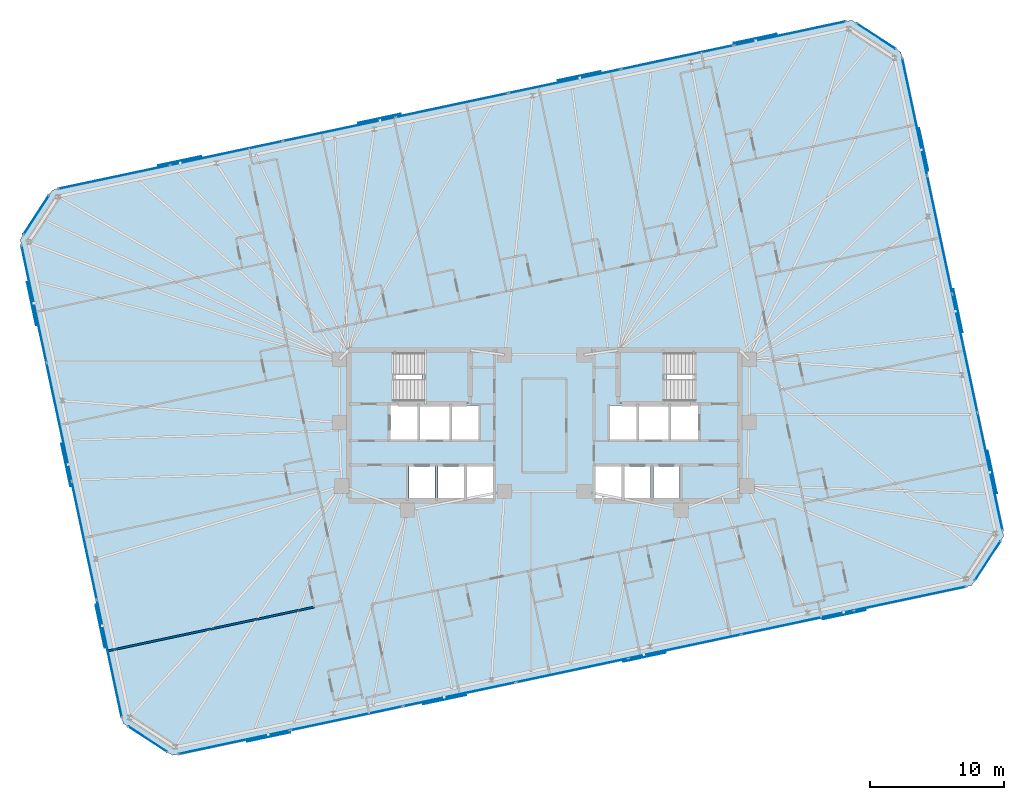
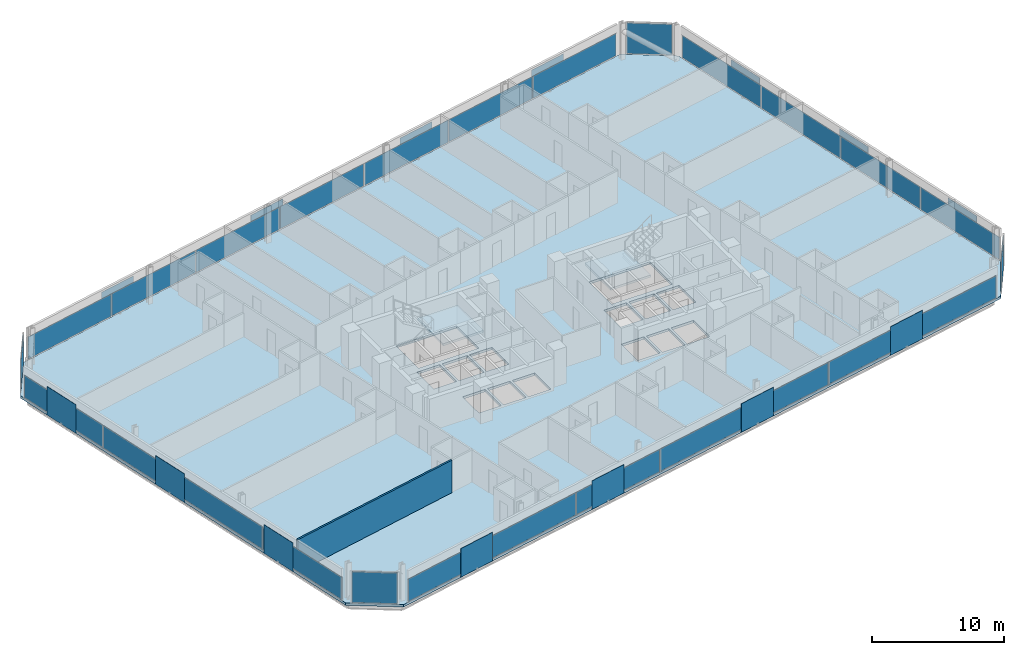
# One storey, part 13 of 20: 40 plates, 3 slabs, 1 wall, 10 elements without a shape of their own.
"""IFC4 building model written with IfcOpenShell, lengths in metres."""

from ifc_helpers import new_model, si_unit, direction, frame, frame_2d, origin, origin_2d, place, context, subcontext, project, spatial, polyline, rectangle, outline, extrude, material, layer, layer_set, type_object, element, aggregate, save


model = new_model("IFC4")

# Units and contexts
model_context = context("Model", 3, precision=1e-05, world=origin(), true_north=direction((0.0, 1.0)))
body_context = subcontext(model_context, "Body", "Model", "MODEL_VIEW")
ifc_project = project(units=[si_unit("LENGTHUNIT", "METRE"), si_unit("AREAUNIT", "SQUARE_METRE"), si_unit("VOLUMEUNIT", "CUBIC_METRE"), si_unit("PLANEANGLEUNIT", "RADIAN"), si_unit("MASSUNIT", "GRAM", prefix="KILO")], contexts=[model_context])

# Site, building, storey
site_placement = place(None, origin())
site = spatial("IfcSite", under=ifc_project, at=site_placement, CompositionType="ELEMENT")
building_placement = place(site_placement, origin())
building = spatial("IfcBuilding", under=site, at=building_placement, Name="Menara Jurai Vektor", CompositionType="ELEMENT")
storey_placement = place(building_placement, frame((0.0, 0.0, 199.0)))
storey = spatial("IfcBuildingStorey", under=building, at=storey_placement, Name="L52", CompositionType="ELEMENT", Elevation=199.0)

# Curtain wall, plates
ifc_material_1 = material(Name="Anodised Pale Aluminium & Low-E Double Glazing", Category="aluminium")
curtain_wall_type = type_object("IfcCurtainWallType", Name="CW-BLK3", PredefinedType="NOTDEFINED", material=ifc_material_1)
curtain_wall_1_placement = place(storey_placement, origin())
curtain_wall_1 = element("IfcCurtainWall", 1, at=curtain_wall_1_placement, inside=storey, type_object=curtain_wall_type, Name="Unitised Curtain Wall L52 F01", PredefinedType="NOTDEFINED")
ifc_material_2 = material(Name="Low-E Solar-Control Double Glazed Unit", Category="glass")
ifc_layer_1 = layer(ifc_material_2, 0.031982421875)
ifc_layer_set_1 = layer_set([ifc_layer_1], Name="Low-E Solar-Control Double Glazed Unit")
plate_type_1 = type_object("IfcPlateType", Name="CW-BLK3-PNL", PredefinedType="CURTAIN_PANEL", material=ifc_layer_set_1)
plate_1_placement = place(storey_placement, frame((-23.078369140625, -23.57568359375, 0.0849609375), z_axis=(0.0, 0.0, 1.0), x_axis=(0.978147674419, 0.207911344156, 0.0)))
plate_1 = element("IfcPlate", 2, at=plate_1_placement, type_object=plate_type_1, Name="CW-03 panel 1.1", PredefinedType="CURTAIN_PANEL", context=body_context, shape_type="SweptSolid", body=[
    extrude(rectangle(XDim=8.44970703125, YDim=0.031982421875, at=origin_2d()), origin(), (0.0, 0.0, 1.0), 2.054931640625),
])
plate_2_placement = place(storey_placement, frame((-14.709228515625, -21.796875, 0.0849609375), z_axis=(0.0, 0.0, 1.0), x_axis=(0.978147674419, 0.207911344156, 0.0)))
plate_2 = element("IfcPlate", 3, at=plate_2_placement, type_object=plate_type_1, Name="CW-03 panel 2.1", PredefinedType="CURTAIN_PANEL", context=body_context, shape_type="SweptSolid", body=[
    extrude(rectangle(XDim=8.4921875, YDim=0.031982421875, at=origin_2d()), origin(), (0.0, 0.0, 1.0), 2.054931640625),
])
plate_3_placement = place(storey_placement, frame((-6.319580078125, -20.013427734375, 0.0849609375), z_axis=(0.0, 0.0, 1.0), x_axis=(0.978147674419, 0.207911344156, 0.0)))
plate_3 = element("IfcPlate", 4, at=plate_3_placement, type_object=plate_type_1, Name="CW-03 panel 3.1", PredefinedType="CURTAIN_PANEL", context=body_context, shape_type="SweptSolid", body=[
    extrude(rectangle(XDim=8.4921875, YDim=0.031982421875, at=origin_2d()), origin(), (0.0, 0.0, 1.0), 2.054931640625),
])
plate_4_placement = place(storey_placement, frame((2.070068359375, -18.230224609375, 0.0849609375), z_axis=(0.0, 0.0, 1.0), x_axis=(0.978147674419, 0.207911344156, 0.0)))
plate_4 = element("IfcPlate", 5, at=plate_4_placement, type_object=plate_type_1, Name="CW-03 panel 4.1", PredefinedType="CURTAIN_PANEL", context=body_context, shape_type="SweptSolid", body=[
    extrude(rectangle(XDim=8.4921875, YDim=0.031982421875, at=origin_2d()), origin(), (0.0, 0.0, 1.0), 2.054931640625),
])
plate_5_placement = place(storey_placement, frame((10.459716796875, -16.447021484375, 0.0849609375), z_axis=(0.0, 0.0, 1.0), x_axis=(0.978147674419, 0.207911344156, 0.0)))
plate_5 = element("IfcPlate", 6, at=plate_5_placement, type_object=plate_type_1, Name="CW-03 panel 5.1", PredefinedType="CURTAIN_PANEL", context=body_context, shape_type="SweptSolid", body=[
    extrude(rectangle(XDim=8.4921875, YDim=0.031982421875, at=origin_2d()), origin(), (0.0, 0.0, 1.0), 2.054931640625),
])
plate_6_placement = place(storey_placement, frame((18.849609375, -14.66357421875, 0.0849609375), z_axis=(0.0, 0.0, 1.0), x_axis=(0.978147674419, 0.207911344156, 0.0)))
plate_6 = element("IfcPlate", 7, at=plate_6_placement, type_object=plate_type_1, Name="CW-03 panel 6.1", PredefinedType="CURTAIN_PANEL", context=body_context, shape_type="SweptSolid", body=[
    extrude(rectangle(XDim=8.4921875, YDim=0.031982421875, at=origin_2d()), origin(), (0.0, 0.0, 1.0), 2.054931640625),
])
plate_7_placement = place(storey_placement, frame((27.218505859375, -12.884765625, 0.0849609375), z_axis=(0.0, 0.0, 1.0), x_axis=(0.978147674419, 0.207911344156, 0.0)))
plate_7 = element("IfcPlate", 8, at=plate_7_placement, type_object=plate_type_1, Name="CW-03 panel 7.1", PredefinedType="CURTAIN_PANEL", context=body_context, shape_type="SweptSolid", body=[
    extrude(rectangle(XDim=8.44970703125, YDim=0.031982421875, at=origin_2d()), origin(), (0.0, 0.0, 1.0), 2.054931640625),
])
aggregate(curtain_wall_1, [plate_1, plate_2, plate_3, plate_4, plate_5, plate_6, plate_7])

curtain_wall_2_placement = place(storey_placement, origin())
curtain_wall_2 = element("IfcCurtainWall", 9, at=curtain_wall_2_placement, inside=storey, type_object=curtain_wall_type, Name="Unitised Curtain Wall L52 F03", PredefinedType="NOTDEFINED")
plate_8_placement = place(storey_placement, frame((33.17333984375, -3.433837890625, 0.0849609375), z_axis=(0.0, 0.0, 1.0), x_axis=(-0.20791035839, 0.978147883949, 0.0)))
plate_8 = element("IfcPlate", 10, at=plate_8_placement, type_object=plate_type_1, Name="CW-03 panel 1.1", PredefinedType="CURTAIN_PANEL", context=body_context, shape_type="SweptSolid", body=[
    extrude(rectangle(XDim=8.882568359375, YDim=0.031982421875, at=origin_2d()), origin(), (0.0, 0.0, 1.0), 2.054931640625),
])
plate_9_placement = place(storey_placement, frame((31.3046875, 5.3583984375, 0.0849609375), z_axis=(0.0, 0.0, 1.0), x_axis=(-0.20791035839, 0.978147883949, 0.0)))
plate_9 = element("IfcPlate", 11, at=plate_9_placement, type_object=plate_type_1, Name="CW-03 panel 2.1", PredefinedType="CURTAIN_PANEL", context=body_context, shape_type="SweptSolid", body=[
    extrude(rectangle(XDim=8.925048828125, YDim=0.031982421875, at=origin_2d()), origin(), (0.0, 0.0, 1.0), 2.054931640625),
])
plate_10_placement = place(storey_placement, frame((29.431396484375, 14.171630859375, 0.0849609375), z_axis=(0.0, 0.0, 1.0), x_axis=(-0.20791035839, 0.978147883949, 0.0)))
plate_10 = element("IfcPlate", 12, at=plate_10_placement, type_object=plate_type_1, Name="CW-03 panel 3.1", PredefinedType="CURTAIN_PANEL", context=body_context, shape_type="SweptSolid", body=[
    extrude(rectangle(XDim=8.925048828125, YDim=0.031982421875, at=origin_2d()), origin(), (0.0, 0.0, 1.0), 2.054931640625),
])
plate_11_placement = place(storey_placement, frame((27.5625, 22.9638671875, 0.0849609375), z_axis=(0.0, 0.0, 1.0), x_axis=(-0.20791035839, 0.978147883949, 0.0)))
plate_11 = element("IfcPlate", 13, at=plate_11_placement, type_object=plate_type_1, Name="CW-03 panel 4.1", PredefinedType="CURTAIN_PANEL", context=body_context, shape_type="SweptSolid", body=[
    extrude(rectangle(XDim=8.882568359375, YDim=0.031982421875, at=origin_2d()), origin(), (0.0, 0.0, 1.0), 2.054931640625),
])
aggregate(curtain_wall_2, [plate_8, plate_9, plate_10, plate_11])

curtain_wall_3_placement = place(storey_placement, origin())
curtain_wall_3 = element("IfcCurtainWall", 14, at=curtain_wall_3_placement, inside=storey, type_object=curtain_wall_type, Name="Unitised Curtain Wall L52 F05", PredefinedType="NOTDEFINED")
plate_12_placement = place(storey_placement, frame((18.2783203125, 29.175537109375, 0.0849609375), z_axis=(0.0, 0.0, 1.0), x_axis=(-0.978147674419, -0.207911344156, 0.0)))
plate_12 = element("IfcPlate", 15, at=plate_12_placement, type_object=plate_type_1, Name="CW-03 panel 1.1", PredefinedType="CURTAIN_PANEL", context=body_context, shape_type="SweptSolid", body=[
    extrude(rectangle(XDim=8.44970703125, YDim=0.031982421875, at=origin_2d()), origin(), (0.0, 0.0, 1.0), 2.054931640625),
])
plate_13_placement = place(storey_placement, frame((9.909423828125, 27.396728515625, 0.0849609375), z_axis=(0.0, 0.0, 1.0), x_axis=(-0.978147674419, -0.207911344156, 0.0)))
plate_13 = element("IfcPlate", 16, at=plate_13_placement, type_object=plate_type_1, Name="CW-03 panel 2.1", PredefinedType="CURTAIN_PANEL", context=body_context, shape_type="SweptSolid", body=[
    extrude(rectangle(XDim=8.4921875, YDim=0.031982421875, at=origin_2d()), origin(), (0.0, 0.0, 1.0), 2.054931640625),
])
plate_14_placement = place(storey_placement, frame((1.51953125, 25.613525390625, 0.0849609375), z_axis=(0.0, 0.0, 1.0), x_axis=(-0.978147674419, -0.207911344156, 0.0)))
plate_14 = element("IfcPlate", 17, at=plate_14_placement, type_object=plate_type_1, Name="CW-03 panel 3.1", PredefinedType="CURTAIN_PANEL", context=body_context, shape_type="SweptSolid", body=[
    extrude(rectangle(XDim=8.4921875, YDim=0.031982421875, at=origin_2d()), origin(), (0.0, 0.0, 1.0), 2.054931640625),
])
plate_15_placement = place(storey_placement, frame((-6.8701171875, 23.830078125, 0.0849609375), z_axis=(0.0, 0.0, 1.0), x_axis=(-0.978147674419, -0.207911344156, 0.0)))
plate_15 = element("IfcPlate", 18, at=plate_15_placement, type_object=plate_type_1, Name="CW-03 panel 4.1", PredefinedType="CURTAIN_PANEL", context=body_context, shape_type="SweptSolid", body=[
    extrude(rectangle(XDim=8.4921875, YDim=0.031982421875, at=origin_2d()), origin(), (0.0, 0.0, 1.0), 2.054931640625),
])
plate_16_placement = place(storey_placement, frame((-15.259765625, 22.046875, 0.0849609375), z_axis=(0.0, 0.0, 1.0), x_axis=(-0.978147674419, -0.207911344156, 0.0)))
plate_16 = element("IfcPlate", 19, at=plate_16_placement, type_object=plate_type_1, Name="CW-03 panel 5.1", PredefinedType="CURTAIN_PANEL", context=body_context, shape_type="SweptSolid", body=[
    extrude(rectangle(XDim=8.4921875, YDim=0.031982421875, at=origin_2d()), origin(), (0.0, 0.0, 1.0), 2.054931640625),
])
plate_17_placement = place(storey_placement, frame((-23.6494140625, 20.263671875, 0.0849609375), z_axis=(0.0, 0.0, 1.0), x_axis=(-0.978147674419, -0.207911344156, 0.0)))
plate_17 = element("IfcPlate", 20, at=plate_17_placement, type_object=plate_type_1, Name="CW-03 panel 6.1", PredefinedType="CURTAIN_PANEL", context=body_context, shape_type="SweptSolid", body=[
    extrude(rectangle(XDim=8.4921875, YDim=0.031982421875, at=origin_2d()), origin(), (0.0, 0.0, 1.0), 2.054931640625),
])
plate_18_placement = place(storey_placement, frame((-32.0185546875, 18.48486328125, 0.0849609375), z_axis=(0.0, 0.0, 1.0), x_axis=(-0.978147674419, -0.207911344156, 0.0)))
plate_18 = element("IfcPlate", 21, at=plate_18_placement, type_object=plate_type_1, Name="CW-03 panel 7.1", PredefinedType="CURTAIN_PANEL", context=body_context, shape_type="SweptSolid", body=[
    extrude(rectangle(XDim=8.44970703125, YDim=0.031982421875, at=origin_2d()), origin(), (0.0, 0.0, 1.0), 2.054931640625),
])
aggregate(curtain_wall_3, [plate_12, plate_13, plate_14, plate_15, plate_16, plate_17, plate_18])

curtain_wall_4_placement = place(storey_placement, origin())
curtain_wall_4 = element("IfcCurtainWall", 22, at=curtain_wall_4_placement, inside=storey, type_object=curtain_wall_type, Name="Unitised Curtain Wall L52 F07", PredefinedType="NOTDEFINED")
plate_19_placement = place(storey_placement, frame((-37.973388671875, 9.033935546875, 0.0849609375), z_axis=(0.0, 0.0, 1.0), x_axis=(0.20791035839, -0.978147883949, 0.0)))
plate_19 = element("IfcPlate", 23, at=plate_19_placement, type_object=plate_type_1, Name="CW-03 panel 1.1", PredefinedType="CURTAIN_PANEL", context=body_context, shape_type="SweptSolid", body=[
    extrude(rectangle(XDim=8.882568359375, YDim=0.031982421875, at=origin_2d()), origin(), (0.0, 0.0, 1.0), 2.054931640625),
])
plate_20_placement = place(storey_placement, frame((-36.1044921875, 0.241455078125, 0.0849609375), z_axis=(0.0, 0.0, 1.0), x_axis=(0.20791035839, -0.978147883949, 0.0)))
plate_20 = element("IfcPlate", 24, at=plate_20_placement, type_object=plate_type_1, Name="CW-03 panel 2.1", PredefinedType="CURTAIN_PANEL", context=body_context, shape_type="SweptSolid", body=[
    extrude(rectangle(XDim=8.925048828125, YDim=0.031982421875, at=origin_2d()), origin(), (0.0, 0.0, 1.0), 2.054931640625),
])
plate_21_placement = place(storey_placement, frame((-34.231201171875, -8.571533203125, 0.0849609375), z_axis=(0.0, 0.0, 1.0), x_axis=(0.20791035839, -0.978147883949, 0.0)))
plate_21 = element("IfcPlate", 25, at=plate_21_placement, type_object=plate_type_1, Name="CW-03 panel 3.1", PredefinedType="CURTAIN_PANEL", context=body_context, shape_type="SweptSolid", body=[
    extrude(rectangle(XDim=8.925048828125, YDim=0.031982421875, at=origin_2d()), origin(), (0.0, 0.0, 1.0), 2.054931640625),
])
plate_22_placement = place(storey_placement, frame((-32.362548828125, -17.364013671875, 0.0849609375), z_axis=(0.0, 0.0, 1.0), x_axis=(0.20791035839, -0.978147883949, 0.0)))
plate_22 = element("IfcPlate", 26, at=plate_22_placement, type_object=plate_type_1, Name="CW-03 panel 4.1", PredefinedType="CURTAIN_PANEL", context=body_context, shape_type="SweptSolid", body=[
    extrude(rectangle(XDim=8.882568359375, YDim=0.031982421875, at=origin_2d()), origin(), (0.0, 0.0, 1.0), 2.054931640625),
])
aggregate(curtain_wall_4, [plate_19, plate_20, plate_21, plate_22])

# Curtain wall, plate
curtain_wall_5_placement = place(storey_placement, origin())
curtain_wall_5 = element("IfcCurtainWall", 27, at=curtain_wall_5_placement, inside=storey, type_object=curtain_wall_type, Name="Unitised Curtain Wall L52 F02", PredefinedType="NOTDEFINED")
ifc_material_3 = material(Name="Insulated Pale Aluminium Spandrel Panel", Category="aluminium")
ifc_layer_2 = layer(ifc_material_3, 0.06005859375)
ifc_layer_set_2 = layer_set([ifc_layer_2], Name="Insulated Pale Aluminium Spandrel Panel")
plate_type_2 = type_object("IfcPlateType", Name="CW-PNL-SP", PredefinedType="CURTAIN_PANEL", material=ifc_layer_set_2)
plate_23_placement = place(storey_placement, frame((32.999755859375, -10.0712890625, 0.0849609375), z_axis=(0.0, 0.0, 1.0), x_axis=(0.544617794346, 0.838684361415, 0.0)))
plate_23 = element("IfcPlate", 28, at=plate_23_placement, type_object=plate_type_2, Name="CW-03 panel 1.1", PredefinedType="CURTAIN_PANEL", context=body_context, shape_type="SweptSolid", body=[
    extrude(rectangle(XDim=3.4541015625, YDim=0.06005859375, at=origin_2d()), origin(), (0.0, 0.0, 1.0), 2.824951171875),
])
aggregate(curtain_wall_5, [plate_23])

curtain_wall_6_placement = place(storey_placement, origin())
curtain_wall_6 = element("IfcCurtainWall", 29, at=curtain_wall_6_placement, inside=storey, type_object=curtain_wall_type, Name="Unitised Curtain Wall L52 F04", PredefinedType="NOTDEFINED")
plate_24_placement = place(storey_placement, frame((24.7041015625, 28.956787109375, 0.0849609375), z_axis=(0.0, 0.0, 1.0), x_axis=(-0.838684361415, 0.544617794346, 0.0)))
plate_24 = element("IfcPlate", 30, at=plate_24_placement, type_object=plate_type_2, Name="CW-03 panel 1.1", PredefinedType="CURTAIN_PANEL", context=body_context, shape_type="SweptSolid", body=[
    extrude(rectangle(XDim=3.4541015625, YDim=0.06005859375, at=origin_2d()), origin(), (0.0, 0.0, 1.0), 2.824951171875),
])
aggregate(curtain_wall_6, [plate_24])

curtain_wall_7_placement = place(storey_placement, origin())
curtain_wall_7 = element("IfcCurtainWall", 31, at=curtain_wall_7_placement, inside=storey, type_object=curtain_wall_type, Name="Unitised Curtain Wall L52 F06", PredefinedType="NOTDEFINED")
plate_25_placement = place(storey_placement, frame((-37.799560546875, 15.67138671875, 0.0849609375), z_axis=(0.0, 0.0, 1.0), x_axis=(-0.544617794346, -0.838684361415, 0.0)))
plate_25 = element("IfcPlate", 32, at=plate_25_placement, type_object=plate_type_2, Name="CW-03 panel 1.1", PredefinedType="CURTAIN_PANEL", context=body_context, shape_type="SweptSolid", body=[
    extrude(rectangle(XDim=3.4541015625, YDim=0.06005859375, at=origin_2d()), origin(), (0.0, 0.0, 1.0), 2.824951171875),
])
aggregate(curtain_wall_7, [plate_25])

curtain_wall_8_placement = place(storey_placement, origin())
curtain_wall_8 = element("IfcCurtainWall", 33, at=curtain_wall_8_placement, inside=storey, type_object=curtain_wall_type, Name="Unitised Curtain Wall L52 F08", PredefinedType="NOTDEFINED")
plate_26_placement = place(storey_placement, frame((-29.50390625, -23.35693359375, 0.0849609375), z_axis=(0.0, 0.0, 1.0), x_axis=(0.838684361415, -0.544617794346, 0.0)))
plate_26 = element("IfcPlate", 34, at=plate_26_placement, type_object=plate_type_2, Name="CW-03 panel 1.1", PredefinedType="CURTAIN_PANEL", context=body_context, shape_type="SweptSolid", body=[
    extrude(rectangle(XDim=3.4541015625, YDim=0.06005859375, at=origin_2d()), origin(), (0.0, 0.0, 1.0), 2.824951171875),
])
aggregate(curtain_wall_8, [plate_26])

# Plates
ifc_material_4 = material(Name="Anodised Pale Aluminium Perforated Screen", Category="aluminium")
ifc_layer_3 = layer(ifc_material_4, 0.02294921875)
ifc_layer_set_3 = layer_set([ifc_layer_3], Name="Anodised Pale Aluminium Perforated Screen")
plate_type_3 = type_object("IfcPlateType", Name="ENV-PLT-SCREEN-MID", PredefinedType="USERDEFINED", material=ifc_layer_set_3)
for number, where, z_axis, x_axis, name in (
    (35, (-20.495849609375, -23.190185546875, -0.050048828125), (0.0, 0.0, 1.0), (0.978147600734, 0.207911690818, 0.0), "Perforated Pale-Metal Solar Screen L52-S01"),
    (36, (-7.412109375, -20.4091796875, -0.050048828125), (0.0, 0.0, 1.0), (0.978147600734, 0.207911690818, 0.0), "Perforated Pale-Metal Solar Screen L52-S02"),
    (37, (7.455810546875, -17.2490234375, -0.050048828125), (0.0, 0.0, 1.0), (0.978147600734, 0.207911690818, 0.0), "Perforated Pale-Metal Solar Screen L52-S03"),
    (38, (22.323486328125, -14.0888671875, -0.050048828125), (0.0, 0.0, 1.0), (0.978147600734, 0.207911690818, 0.0), "Perforated Pale-Metal Solar Screen L52-S04"),
    (39, (33.342529296875, -3.460205078125, -0.050048828125), (0.0, 0.0, 1.0), (-0.207911690818, 0.978147600734, 0.0), "Perforated Pale-Metal Solar Screen L52-S05"),
    (40, (30.792236328125, 8.53857421875, -0.050048828125), (0.0, 0.0, 1.0), (-0.207911690818, 0.978147600734, 0.0), "Perforated Pale-Metal Solar Screen L52-S06"),
    (41, (28.241943359375, 20.537109375, -0.050048828125), (0.0, 0.0, 1.0), (-0.207911690818, 0.978147600734, 0.0), "Perforated Pale-Metal Solar Screen L52-S07"),
    (42, (15.69580078125, 28.790283203125, -0.050048828125), (0.0, 0.0, 1.0), (-0.978147600734, -0.207911690818, 0.0), "Perforated Pale-Metal Solar Screen L52-S08"),
    (43, (2.612060546875, 26.00927734375, -0.050048828125), (0.0, 0.0, 1.0), (-0.978147600734, -0.207911690818, 0.0), "Perforated Pale-Metal Solar Screen L52-S09"),
    (44, (-12.255859375, 22.84912109375, -0.050048828125), (0.0, 0.0, 1.0), (-0.978147600734, -0.207911690818, 0.0), "Perforated Pale-Metal Solar Screen L52-S10"),
    (45, (-27.12353515625, 19.688720703125, -0.050048828125), (0.0, 0.0, 1.0), (-0.978147600734, -0.207911690818, 0.0), "Perforated Pale-Metal Solar Screen L52-S11"),
    (46, (-38.142578125, 9.060302734375, -0.050048828125), (0.0, 0.0, 1.0), (0.207911690818, -0.978147600734, 0.0), "Perforated Pale-Metal Solar Screen L52-S12"),
    (47, (-35.59228515625, -2.9384765625, -0.050048828125), (0.0, 0.0, 1.0), (0.207911690818, -0.978147600734, 0.0), "Perforated Pale-Metal Solar Screen L52-S13"),
    (48, (-33.0419921875, -14.93701171875, -0.050048828125), (0.0, 0.0, 1.0), (0.207911690818, -0.978147600734, 0.0), "Perforated Pale-Metal Solar Screen L52-S14"),
):
    element("IfcPlate", number, at=place(storey_placement, frame(where, z_axis=z_axis, x_axis=x_axis)), inside=storey, type_object=plate_type_3, Name=name, ObjectType="SCREEN", PredefinedType="USERDEFINED", context=body_context, shape_type="SweptSolid", body=[
        extrude(rectangle(XDim=3.25, YDim=0.02294921875, at=origin_2d()), origin(), (0.0, 0.0, 1.0), 2.64990234375),
    ])

# Stair, slab
ifc_material_5 = material(Name="Concrete C40/50", Category="concrete")
stair_type = type_object("IfcStairType", Name="STAIR-DOGLEG-1500", PredefinedType="HALF_TURN_STAIR", material=ifc_material_5)
stair_1_placement = place(storey_placement, origin())
stair_1 = element("IfcStair", 49, at=stair_1_placement, inside=storey, type_object=stair_type, Name="Protected Exit Stair ST1 L52", PredefinedType="HALF_TURN_STAIR")
ifc_layer_4 = layer(ifc_material_5, 0.199951171875)
ifc_layer_set_4 = layer_set([ifc_layer_4], Name="Concrete C40/50")
slab_type_1 = type_object("IfcSlabType", Name="STAIR-LANDING-200", PredefinedType="LANDING", material=ifc_layer_set_4)
slab_1_placement = place(storey_placement, frame((0.0, 0.0, 1.5)))
slab_1 = element("IfcSlab", 50, at=slab_1_placement, type_object=slab_type_1, Name="ST1 landing 1", PredefinedType="LANDING", context=body_context, shape_type="SweptSolid", body=[
    extrude(outline(polyline([(-9.080078125, 1.64990234375), (-5.550048828125, 1.64990234375), (-5.550048828125, 5.550048828125), (-9.080078125, 5.550048828125), (-9.080078125, 1.64990234375)])), origin(), (0.0, 0.0, 1.0), 0.199951171875),
])
aggregate(stair_1, [slab_1])

stair_2_placement = place(storey_placement, origin())
stair_2 = element("IfcStair", 51, at=stair_2_placement, inside=storey, type_object=stair_type, Name="Protected Exit Stair ST2 L52", PredefinedType="HALF_TURN_STAIR")
slab_2_placement = place(storey_placement, frame((0.0, 0.0, 1.5)))
slab_2 = element("IfcSlab", 52, at=slab_2_placement, type_object=slab_type_1, Name="ST2 landing 1", PredefinedType="LANDING", context=body_context, shape_type="SweptSolid", body=[
    extrude(outline(polyline([(5.550048828125, 1.64990234375), (9.080078125, 1.64990234375), (9.080078125, 5.550048828125), (5.550048828125, 5.550048828125), (5.550048828125, 1.64990234375)])), origin(), (0.0, 0.0, 1.0), 0.199951171875),
])
aggregate(stair_2, [slab_2])

# Slab
ifc_layer_5 = layer(ifc_material_5, 0.22509765625)
ifc_layer_set_5 = layer_set([ifc_layer_5], Name="Concrete C40/50")
slab_type_2 = type_object("IfcSlabType", Name="STR-SLAB-TYP200", PredefinedType="FLOOR", material=ifc_layer_set_5)
slab_3_placement = place(storey_placement, frame((0.0, 0.0, -0.22509765625)))
element("IfcSlab", 53, at=slab_3_placement, inside=storey, type_object=slab_type_2, Name="Composite Floor Slab L52", PredefinedType="FLOOR", context=body_context, shape_type="SweptSolid", body=[
    extrude(outline(polyline([(-27.66552734375, -24.55078125), (31.805908203125, -11.90966796875), (34.193603515625, -8.23291015625), (26.54248046875, 27.762939453125), (22.865478515625, 30.150634765625), (-36.605712890625, 17.509765625), (-38.993408203125, 13.8330078125), (-31.34228515625, -22.1630859375), (-27.66552734375, -24.55078125)]), holes=[polyline([(-11.10009765625, 1.89990234375), (-11.10009765625, 5.300048828125), (-5.800048828125, 5.300048828125), (-5.800048828125, 1.89990234375), (-11.10009765625, 1.89990234375)]), polyline([(5.800048828125, 1.89990234375), (5.800048828125, 5.300048828125), (11.10009765625, 5.300048828125), (11.10009765625, 1.89990234375), (5.800048828125, 1.89990234375)]), polyline([(-11.449951171875, -1.050048828125), (-11.449951171875, 1.5), (-9.449951171875, 1.5), (-9.449951171875, -1.050048828125), (-11.449951171875, -1.050048828125)]), polyline([(9.449951171875, -1.050048828125), (9.449951171875, 1.5), (11.449951171875, 1.5), (11.449951171875, -1.050048828125), (9.449951171875, -1.050048828125)]), polyline([(-5.760009765625, -5.5), (-5.760009765625, -3.050048828125), (-3.800048828125, -3.050048828125), (-3.800048828125, -5.5), (-5.760009765625, -5.5)]), polyline([(-6.85009765625, -1.050048828125), (-6.85009765625, 1.5), (-4.889892578125, 1.5), (-4.889892578125, -1.050048828125), (-6.85009765625, -1.050048828125)]), polyline([(3.800048828125, -5.5), (3.800048828125, -3.050048828125), (5.760009765625, -3.050048828125), (5.760009765625, -5.5), (3.800048828125, -5.5)]), polyline([(4.889892578125, -1.050048828125), (4.889892578125, 1.5), (6.85009765625, 1.5), (6.85009765625, -1.050048828125), (4.889892578125, -1.050048828125)]), polyline([(-10.080078125, -5.5), (-10.080078125, -3.050048828125), (-8.1201171875, -3.050048828125), (-8.1201171875, -5.5), (-10.080078125, -5.5)]), polyline([(-7.919921875, -5.5), (-7.919921875, -3.050048828125), (-5.9599609375, -3.050048828125), (-5.9599609375, -5.5), (-7.919921875, -5.5)]), polyline([(5.9599609375, -5.5), (5.9599609375, -3.050048828125), (7.919921875, -3.050048828125), (7.919921875, -5.5), (5.9599609375, -5.5)]), polyline([(8.1201171875, -5.5), (8.1201171875, -3.050048828125), (10.080078125, -3.050048828125), (10.080078125, -5.5), (8.1201171875, -5.5)]), polyline([(-9.25, -1.050048828125), (-9.25, 1.5), (-7.050048828125, 1.5), (-7.050048828125, -1.050048828125), (-9.25, -1.050048828125)]), polyline([(7.050048828125, -1.050048828125), (7.050048828125, 1.5), (9.25, 1.5), (9.25, -1.050048828125), (7.050048828125, -1.050048828125)])]), origin(), (0.0, 0.0, 1.0), 0.22509765625),
])

# Wall
ifc_material_6 = material(Name="Gypsum Fireboard Partition", Category="gypsum")
ifc_layer_6 = layer(ifc_material_6, 0.14990234375)
ifc_layer_set_6 = layer_set([ifc_layer_6], Name="Gypsum Fireboard Partition")
wall_type = type_object("IfcWallType", Name="INT-WALL-CORR-150", PredefinedType="PARTITIONING", material=ifc_layer_set_6)
wall_placement = place(storey_placement, frame((-32.48583984375, -16.783203125, 0.0), z_axis=(0.0, 0.0, 1.0), x_axis=(0.978146137903, 0.207918572776, 0.0)))
element("IfcWall", 54, at=wall_placement, inside=storey, type_object=wall_type, Name="Interior Wall IW-150 L52", PredefinedType="PARTITIONING", context=body_context, shape_type="SweptSolid", body=[
    extrude(rectangle(XDim=15.718017578125, YDim=0.14990234375, at=frame_2d((7.85888671875, 0.0))), origin(), (0.0, 0.0, 1.0), 3.0),
])

save(model, "model.ifc")
